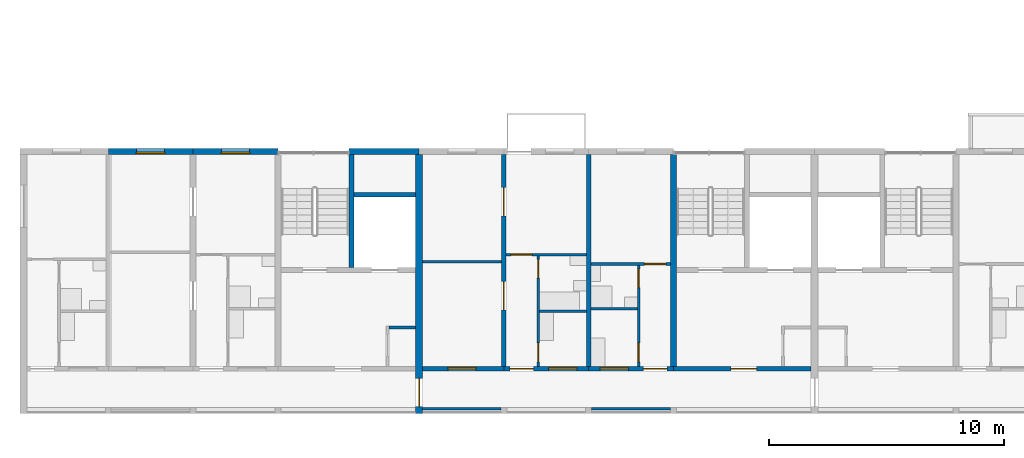
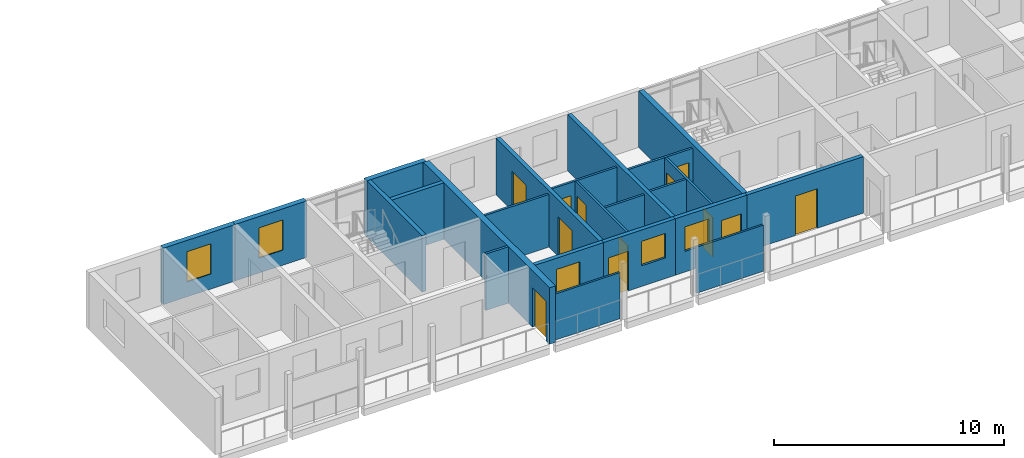
# One storey, part 29 of 99: 23 walls, 12 doors, 5 windows, 17 openings.
"""IFC4 building model written with IfcOpenShell, lengths in metres."""

from ifc_helpers import new_model, si_unit, direction, frame, frame_2d, origin, place, context, subcontext, project, spatial, rectangle, extrude, material, layer, layer_set, type_object, element, fill, save


model = new_model("IFC4")

# Units and contexts
model_context = context("Model", 3, precision=1e-05, world=origin(), true_north=direction((0.0, 1.0)))
body_context = subcontext(model_context, "Body", "Model", "MODEL_VIEW")
ifc_project = project(units=[si_unit("LENGTHUNIT", "METRE"), si_unit("AREAUNIT", "SQUARE_METRE"), si_unit("VOLUMEUNIT", "CUBIC_METRE"), si_unit("PLANEANGLEUNIT", "RADIAN"), si_unit("MASSUNIT", "GRAM", prefix="KILO")], contexts=[model_context])

# Site, building, storey
site_placement = place(None, origin())
site = spatial("IfcSite", under=ifc_project, at=site_placement, CompositionType="ELEMENT")
building_placement = place(site_placement, origin())
building = spatial("IfcBuilding", under=site, at=building_placement, Name="Ridgestep Commons", CompositionType="ELEMENT")
storey_placement = place(building_placement, frame((0.0, 0.0, 15.0)))
storey = spatial("IfcBuildingStorey", under=building, at=storey_placement, Name="L05", CompositionType="ELEMENT", Elevation=15.0)

# Wall
ifc_material_1 = material(Name="Concrete C30/37", Category="concrete")
ifc_layer_1 = layer(ifc_material_1, 0.25)
ifc_layer_set_1 = layer_set([ifc_layer_1], Name="Core cross wall 250")
wall_type_1 = type_object("IfcWallType", Name="Core cross wall 250", PredefinedType="SHEAR", material=ifc_layer_set_1)
wall_1_placement = place(storey_placement, frame((39.60009765625, 13.75, 0.0), z_axis=(0.0, 0.0, 1.0), x_axis=(0.0, 1.0, 0.0)))
element("IfcWall", 1, at=wall_1_placement, inside=storey, type_object=wall_type_1, Name="Cross wall A-05-0396", PredefinedType="SHEAR", context=body_context, shape_type="SweptSolid", body=[
    extrude(rectangle(XDim=9.0, YDim=0.25, at=frame_2d((4.5, 0.0))), origin(), (0.0, 0.0, 1.0), 3.0),
])

# Wall, opening, door
ifc_material_2 = material(Name="Concrete C30/37", Category="concrete")
ifc_layer_2 = layer(ifc_material_2, 0.199951171875)
ifc_layer_set_2 = layer_set([ifc_layer_2], Name="Core south wall 200")
wall_type_2 = type_object("IfcWallType", Name="Core south wall 200", PredefinedType="SHEAR", material=ifc_layer_set_2)
wall_2_placement = place(storey_placement, frame((39.60009765625, 13.64990234375, 0.0), z_axis=(0.0, 0.0, 1.0), x_axis=(1.0, 0.0, 0.0)))
wall_2 = element("IfcWall", 2, at=wall_2_placement, inside=storey, type_object=wall_type_2, Name="Core south wall A2C L05", PredefinedType="SHEAR", context=body_context, shape_type="SweptSolid", body=[
    extrude(rectangle(XDim=5.849853515625, YDim=0.199951171875, at=frame_2d((2.9248046875, 0.0))), origin(), (0.0, 0.0, 1.0), 3.0),
])
opening_1_placement = place(wall_2_placement, frame((2.4375, 0.0, 0.0)))
opening_1 = element("IfcOpeningElement", 3, at=opening_1_placement, cuts=wall_2, Name="Opening A2C/05/1", PredefinedType="OPENING", context=body_context, shape_type="SweptSolid", body=[
    extrude(rectangle(XDim=1.10009765625, YDim=2.10009765625, at=frame_2d((0.550048828125, 1.050048828125))), frame((0.0, 0.10986328125, 0.0), z_axis=(0.0, -1.0, 0.0), x_axis=(1.0, 0.0, 0.0)), (0.0, 0.0, 1.0), 0.219970703125),
])
ifc_material_3 = material(Name="Steel fire door", Category="steel")
door_type_1 = type_object("IfcDoorType", Name="Lobby door 1100 x 2100 FD60", OperationType="NOTDEFINED", PredefinedType="DOOR", material=ifc_material_3)
door_1_placement = place(opening_1_placement, origin())
door_1 = element("IfcDoor", 4, at=door_1_placement, inside=storey, type_object=door_type_1, Name="Lobby door A2C/05/1", OperationType="SINGLE_SWING_LEFT", OverallHeight=2.10009765625, OverallWidth=1.10009765625, PredefinedType="DOOR", context=body_context, shape_type="SweptSolid", body=[
    extrude(rectangle(XDim=1.10009765625, YDim=2.10009765625, at=frame_2d((0.550048828125, 1.050048828125))), frame((0.0, 0.02490234375, 0.0), z_axis=(0.0, -1.0, 0.0), x_axis=(1.0, 0.0, 0.0)), (0.0, 0.0, 1.0), 0.050048828125),
])
fill(opening_1, door_1)

# Walls
ifc_material_4 = material(Name="Concrete C30/37", Category="concrete")
ifc_layer_3 = layer(ifc_material_4, 0.1201171875)
ifc_layer_set_3 = layer_set([ifc_layer_3], Name="Core wall 120")
wall_type_3 = type_object("IfcWallType", Name="Core wall 120", PredefinedType="SHEAR", material=ifc_layer_set_3)
wall_3_placement = place(storey_placement, frame((27.52001953125, 15.409912109375, 0.0), z_axis=(0.0, 0.0, 1.0), x_axis=(1.0, 0.0, 0.0)))
element("IfcWall", 5, at=wall_3_placement, inside=storey, type_object=wall_type_3, Name="Core riser n wall A1C L05", PredefinedType="SHEAR", context=body_context, shape_type="SweptSolid", body=[
    extrude(rectangle(XDim=1.1298828125, YDim=0.1201171875, at=frame_2d((0.56494140625, 0.0))), origin(), (0.0, 0.0, 1.0), 3.0),
])
ifc_material_5 = material(Name="Concrete C30/37", Category="concrete")
ifc_layer_4 = layer(ifc_material_5, 0.199951171875)
ifc_layer_set_4 = layer_set([ifc_layer_4], Name="Core wall 200")
wall_type_4 = type_object("IfcWallType", Name="Core wall 200", PredefinedType="SHEAR", material=ifc_layer_set_4)
wall_4_placement = place(storey_placement, frame((25.925048828125, 17.949951171875, 0.0), z_axis=(0.0, 0.0, 1.0), x_axis=(0.0, 1.0, 0.0)))
element("IfcWall", 6, at=wall_4_placement, inside=storey, type_object=wall_type_4, Name="Core stair wall A1C L05", PredefinedType="SHEAR", context=body_context, shape_type="SweptSolid", body=[
    extrude(rectangle(XDim=4.800048828125, YDim=0.199951171875, at=frame_2d((2.39990234375, 0.0))), origin(), (0.0, 0.0, 1.0), 3.0),
])
wall_5_placement = place(storey_placement, frame((26.02490234375, 21.050048828125, 0.0), z_axis=(0.0, 0.0, 1.0), x_axis=(1.0, 0.0, 0.0)))
element("IfcWall", 7, at=wall_5_placement, inside=storey, type_object=wall_type_4, Name="Core duct wall A1C L05", PredefinedType="SHEAR", context=body_context, shape_type="SweptSolid", body=[
    extrude(rectangle(XDim=2.625, YDim=0.199951171875, at=frame_2d((1.3125, 0.0))), origin(), (0.0, 0.0, 1.0), 3.0),
])

# Wall, openings, doors
ifc_material_6 = material(Name="Precast concrete C40/50", Category="concrete")
ifc_layer_5 = layer(ifc_material_6, 0.199951171875)
ifc_layer_set_5 = layer_set([ifc_layer_5], Name="Cross wall 200")
wall_type_5 = type_object("IfcWallType", Name="Cross wall 200", PredefinedType="SHEAR", material=ifc_layer_set_5)
wall_6_placement = place(storey_placement, frame((32.39990234375, 13.75, 0.0), z_axis=(0.0, 0.0, 1.0), x_axis=(0.0, 1.0, 0.0)))
wall_6 = element("IfcWall", 8, at=wall_6_placement, inside=storey, type_object=wall_type_5, Name="Cross wall A-05-0324", PredefinedType="SHEAR", context=body_context, shape_type="SweptSolid", body=[
    extrude(rectangle(XDim=9.0, YDim=0.199951171875, at=frame_2d((4.5, 0.0))), origin(), (0.0, 0.0, 1.0), 3.0),
])
opening_2_placement = place(wall_6_placement, frame((2.39990234375, 0.0, 0.0)))
opening_2 = element("IfcOpeningElement", 9, at=opening_2_placement, cuts=wall_6, Name="Opening A2-05a/5", PredefinedType="OPENING", context=body_context, shape_type="SweptSolid", body=[
    extrude(rectangle(XDim=1.199951171875, YDim=2.10009765625, at=frame_2d((0.60009765625, 1.050048828125))), frame((0.0, 0.10986328125, 0.0), z_axis=(0.0, -1.0, 0.0), x_axis=(1.0, 0.0, 0.0)), (0.0, 0.0, 1.0), 0.219970703125),
])
opening_3_placement = place(wall_6_placement, frame((6.39990234375, 0.0, 0.0)))
opening_3 = element("IfcOpeningElement", 10, at=opening_3_placement, cuts=wall_6, Name="Opening A2-05a/6", PredefinedType="OPENING", context=body_context, shape_type="SweptSolid", body=[
    extrude(rectangle(XDim=1.199951171875, YDim=2.10009765625, at=frame_2d((0.60009765625, 1.050048828125))), frame((0.0, 0.10986328125, 0.0), z_axis=(0.0, -1.0, 0.0), x_axis=(1.0, 0.0, 0.0)), (0.0, 0.0, 1.0), 0.219970703125),
])
ifc_material_7 = material(Name="Timber door leaf", Category="wood")
door_type_2 = type_object("IfcDoorType", Name="Double door 1200 x 2100", OperationType="DOUBLE_DOOR_SINGLE_SWING", PredefinedType="DOOR", material=ifc_material_7)
door_2_placement = place(opening_2_placement, origin())
door_2 = element("IfcDoor", 11, at=door_2_placement, inside=storey, type_object=door_type_2, Name="Double door A2-05a/5", OperationType="DOUBLE_DOOR_SINGLE_SWING", OverallHeight=2.10009765625, OverallWidth=1.199951171875, PredefinedType="DOOR", context=body_context, shape_type="SweptSolid", body=[
    extrude(rectangle(XDim=1.199951171875, YDim=2.10009765625, at=frame_2d((0.60009765625, 1.050048828125))), frame((0.0, 0.02490234375, 0.0), z_axis=(0.0, -1.0, 0.0), x_axis=(1.0, 0.0, 0.0)), (0.0, 0.0, 1.0), 0.050048828125),
])
fill(opening_2, door_2)
door_3_placement = place(opening_3_placement, origin())
door_3 = element("IfcDoor", 12, at=door_3_placement, inside=storey, type_object=door_type_2, Name="Double door A2-05a/6", OperationType="DOUBLE_DOOR_SINGLE_SWING", OverallHeight=2.10009765625, OverallWidth=1.199951171875, PredefinedType="DOOR", context=body_context, shape_type="SweptSolid", body=[
    extrude(rectangle(XDim=1.199951171875, YDim=2.10009765625, at=frame_2d((0.60009765625, 1.050048828125))), frame((0.0, 0.02490234375, 0.0), z_axis=(0.0, -1.0, 0.0), x_axis=(1.0, 0.0, 0.0)), (0.0, 0.0, 1.0), 0.050048828125),
])
fill(opening_3, door_3)

# Wall
wall_7_placement = place(storey_placement, frame((36.0, 13.75, 0.0), z_axis=(0.0, 0.0, 1.0), x_axis=(0.0, 1.0, 0.0)))
element("IfcWall", 13, at=wall_7_placement, inside=storey, type_object=wall_type_5, Name="Cross wall A-05-0360", PredefinedType="SHEAR", context=body_context, shape_type="SweptSolid", body=[
    extrude(rectangle(XDim=9.0, YDim=0.199951171875, at=frame_2d((4.5, 0.0))), origin(), (0.0, 0.0, 1.0), 3.0),
])

# Wall, opening, door
ifc_material_8 = material(Name="Precast concrete C40/50", Category="concrete")
ifc_layer_6 = layer(ifc_material_8, 0.300048828125)
ifc_layer_set_6 = layer_set([ifc_layer_6], Name="Division wall 300")
wall_type_6 = type_object("IfcWallType", Name="Division wall 300", PredefinedType="SHEAR", material=ifc_layer_set_6)
wall_8_placement = place(storey_placement, frame((28.800048828125, 11.75, 0.0), z_axis=(0.0, 0.0, 1.0), x_axis=(0.0, 1.0, 0.0)))
wall_8 = element("IfcWall", 14, at=wall_8_placement, inside=storey, type_object=wall_type_6, Name="Cross wall A-05-0288", PredefinedType="SHEAR", context=body_context, shape_type="SweptSolid", body=[
    extrude(rectangle(XDim=11.0, YDim=0.300048828125, at=frame_2d((5.5, 0.0))), origin(), (0.0, 0.0, 1.0), 3.0),
])
opening_4_placement = place(wall_8_placement, frame((0.300048828125, 0.0, 0.0)))
opening_4 = element("IfcOpeningElement", 15, at=opening_4_placement, cuts=wall_8, Name="Opening A/05/G0288", PredefinedType="OPENING", context=body_context, shape_type="SweptSolid", body=[
    extrude(rectangle(XDim=1.199951171875, YDim=2.10009765625, at=frame_2d((0.60009765625, 1.050048828125))), frame((0.0, 0.159912109375, 0.0), z_axis=(0.0, -1.0, 0.0), x_axis=(1.0, 0.0, 0.0)), (0.0, 0.0, 1.0), 0.320068359375),
])
ifc_material_9 = material(Name="Steel fire door", Category="steel")
door_type_3 = type_object("IfcDoorType", Name="Division fire door 1200 x 2100 EI 240", OperationType="DOUBLE_DOOR_SINGLE_SWING", PredefinedType="DOOR", material=ifc_material_9)
door_4_placement = place(opening_4_placement, origin())
door_4 = element("IfcDoor", 16, at=door_4_placement, inside=storey, type_object=door_type_3, Name="Division fire door A/05/G0288", OperationType="DOUBLE_DOOR_SINGLE_SWING", OverallHeight=2.10009765625, OverallWidth=1.199951171875, PredefinedType="DOOR", context=body_context, shape_type="SweptSolid", body=[
    extrude(rectangle(XDim=1.199951171875, YDim=2.10009765625, at=frame_2d((0.60009765625, 1.050048828125))), frame((0.0, 0.02490234375, 0.0), z_axis=(0.0, -1.0, 0.0), x_axis=(1.0, 0.0, 0.0)), (0.0, 0.0, 1.0), 0.050048828125),
])
fill(opening_4, door_4)

# Wall, opening, window
ifc_material_10 = material(Name="Precast concrete C40/50", Category="concrete")
ifc_layer_7 = layer(ifc_material_10, 0.25)
ifc_layer_set_7 = layer_set([ifc_layer_7], Name="North facade panel 250")
wall_type_7 = type_object("IfcWallType", Name="North facade panel 250", PredefinedType="SOLIDWALL", material=ifc_layer_set_7)
wall_9_placement = place(storey_placement, frame((15.60009765625, 22.875, 0.0), z_axis=(0.0, 0.0, 1.0), x_axis=(1.0, 0.0, 0.0)))
wall_9 = element("IfcWall", 17, at=wall_9_placement, inside=storey, type_object=wall_type_7, Name="North panel A1T2 L05", PredefinedType="SOLIDWALL", context=body_context, shape_type="SweptSolid", body=[
    extrude(rectangle(XDim=3.599853515625, YDim=0.25, at=frame_2d((1.7998046875, 0.0))), origin(), (0.0, 0.0, 1.0), 3.0),
])
opening_5_placement = place(wall_9_placement, frame((1.1875, 0.0, 0.800048828125)))
opening_5 = element("IfcOpeningElement", 18, at=opening_5_placement, cuts=wall_9, Name="Opening W11", PredefinedType="OPENING", context=body_context, shape_type="SweptSolid", body=[
    extrude(rectangle(XDim=1.199951171875, YDim=1.60009765625, at=frame_2d((0.60009765625, 0.800048828125))), frame((0.0, 0.135009765625, 0.0), z_axis=(0.0, -1.0, 0.0), x_axis=(1.0, 0.0, 0.0)), (0.0, 0.0, 1.0), 0.27001953125),
])
ifc_material_11 = material(Name="Aluminium 6063-T6 and glass", Category="aluminium")
window_type_1 = type_object("IfcWindowType", Name="Flat window 1200 x 1600", PartitioningType="SINGLE_PANEL", PredefinedType="WINDOW", material=ifc_material_11)
window_1_placement = place(opening_5_placement, origin())
window_1 = element("IfcWindow", 19, at=window_1_placement, inside=storey, type_object=window_type_1, Name="Window A1-05b 2", OverallHeight=1.60009765625, OverallWidth=1.199951171875, PartitioningType="SINGLE_PANEL", PredefinedType="WINDOW", context=body_context, shape_type="SweptSolid", body=[
    extrude(rectangle(XDim=1.199951171875, YDim=1.60009765625, at=frame_2d((0.60009765625, 0.800048828125))), frame((0.0, -0.02490234375, 0.0), z_axis=(0.0, -1.0, 0.0), x_axis=(1.0, 0.0, 0.0)), (0.0, 0.0, 1.0), 0.06005859375),
])
fill(opening_5, window_1)

wall_10_placement = place(storey_placement, frame((19.199951171875, 22.875, 0.0), z_axis=(0.0, 0.0, 1.0), x_axis=(1.0, 0.0, 0.0)))
wall_10 = element("IfcWall", 20, at=wall_10_placement, inside=storey, type_object=wall_type_7, Name="North panel A1T3 L05", PredefinedType="SOLIDWALL", context=body_context, shape_type="SweptSolid", body=[
    extrude(rectangle(XDim=3.60009765625, YDim=0.25, at=frame_2d((1.800048828125, 0.0))), origin(), (0.0, 0.0, 1.0), 3.0),
])
opening_6_placement = place(wall_10_placement, frame((1.199951171875, 0.0, 0.800048828125)))
opening_6 = element("IfcOpeningElement", 21, at=opening_6_placement, cuts=wall_10, Name="Opening W11", PredefinedType="OPENING", context=body_context, shape_type="SweptSolid", body=[
    extrude(rectangle(XDim=1.199951171875, YDim=1.60009765625, at=frame_2d((0.60009765625, 0.800048828125))), frame((0.0, 0.135009765625, 0.0), z_axis=(0.0, -1.0, 0.0), x_axis=(1.0, 0.0, 0.0)), (0.0, 0.0, 1.0), 0.27001953125),
])
window_2_placement = place(opening_6_placement, origin())
window_2 = element("IfcWindow", 22, at=window_2_placement, inside=storey, type_object=window_type_1, Name="Window A1-05b 4", OverallHeight=1.60009765625, OverallWidth=1.199951171875, PartitioningType="SINGLE_PANEL", PredefinedType="WINDOW", context=body_context, shape_type="SweptSolid", body=[
    extrude(rectangle(XDim=1.199951171875, YDim=1.60009765625, at=frame_2d((0.60009765625, 0.800048828125))), frame((0.0, -0.02490234375, 0.0), z_axis=(0.0, -1.0, 0.0), x_axis=(1.0, 0.0, 0.0)), (0.0, 0.0, 1.0), 0.06005859375),
])
fill(opening_6, window_2)

# Wall
wall_11_placement = place(storey_placement, frame((25.824951171875, 22.875, 0.0), z_axis=(0.0, 0.0, 1.0), x_axis=(1.0, 0.0, 0.0)))
element("IfcWall", 23, at=wall_11_placement, inside=storey, type_object=wall_type_7, Name="North panel A1C L05", PredefinedType="SOLIDWALL", context=body_context, shape_type="SweptSolid", body=[
    extrude(rectangle(XDim=2.97509765625, YDim=0.25, at=frame_2d((1.487548828125, 0.0))), origin(), (0.0, 0.0, 1.0), 3.0),
])

# Wall, openings, doors
ifc_material_12 = material(Name="Common brick 110 mm", Category="masonry")
ifc_layer_8 = layer(ifc_material_12, 0.110107421875)
ifc_layer_set_8 = layer_set([ifc_layer_8], Name="Partition 110")
wall_type_8 = type_object("IfcWallType", Name="Partition 110", PredefinedType="PARTITIONING", material=ifc_layer_set_8)
wall_12_placement = place(storey_placement, frame((33.85498046875, 13.75, 0.0), z_axis=(0.0, 0.0, 1.0), x_axis=(0.0, 1.0, 0.0)))
wall_12 = element("IfcWall", 24, at=wall_12_placement, inside=storey, type_object=wall_type_8, Name="Partition A2-05a", PredefinedType="PARTITIONING", context=body_context, shape_type="SweptSolid", body=[
    extrude(rectangle(XDim=4.699951171875, YDim=0.110107421875, at=frame_2d((2.35009765625, 0.0))), origin(), (0.0, 0.0, 1.0), 2.800048828125),
])
opening_7_placement = place(wall_12_placement, frame((0.199951171875, 0.0, 0.0)))
opening_7 = element("IfcOpeningElement", 25, at=opening_7_placement, cuts=wall_12, Name="Opening A2-05a/2", PredefinedType="OPENING", context=body_context, shape_type="SweptSolid", body=[
    extrude(rectangle(XDim=0.800048828125, YDim=2.10009765625, at=frame_2d((0.39990234375, 1.050048828125))), frame((0.0, 0.06494140625, 0.0), z_axis=(0.0, -1.0, 0.0), x_axis=(1.0, 0.0, 0.0)), (0.0, 0.0, 1.0), 0.130126953125),
])
opening_8_placement = place(wall_12_placement, frame((3.75, 0.0, 0.0)))
opening_8 = element("IfcOpeningElement", 26, at=opening_8_placement, cuts=wall_12, Name="Opening A2-05a/3", PredefinedType="OPENING", context=body_context, shape_type="SweptSolid", body=[
    extrude(rectangle(XDim=0.800048828125, YDim=2.10009765625, at=frame_2d((0.39990234375, 1.050048828125))), frame((0.0, 0.06494140625, 0.0), z_axis=(0.0, -1.0, 0.0), x_axis=(1.0, 0.0, 0.0)), (0.0, 0.0, 1.0), 0.130126953125),
])
ifc_material_13 = material(Name="Timber door leaf", Category="wood")
door_type_4 = type_object("IfcDoorType", Name="Internal door 800 x 2100", OperationType="NOTDEFINED", PredefinedType="DOOR", material=ifc_material_13)
door_5_placement = place(opening_7_placement, origin())
door_5 = element("IfcDoor", 27, at=door_5_placement, inside=storey, type_object=door_type_4, Name="Internal door A2-05a/2", OperationType="SINGLE_SWING_RIGHT", OverallHeight=2.10009765625, OverallWidth=0.800048828125, PredefinedType="DOOR", context=body_context, shape_type="SweptSolid", body=[
    extrude(rectangle(XDim=0.800048828125, YDim=2.10009765625, at=frame_2d((0.39990234375, 1.050048828125))), frame((0.0, 0.02490234375, 0.0), z_axis=(0.0, -1.0, 0.0), x_axis=(1.0, 0.0, 0.0)), (0.0, 0.0, 1.0), 0.050048828125),
])
fill(opening_7, door_5)
door_6_placement = place(opening_8_placement, origin())
door_6 = element("IfcDoor", 28, at=door_6_placement, inside=storey, type_object=door_type_4, Name="Internal door A2-05a/3", OperationType="SINGLE_SWING_LEFT", OverallHeight=2.10009765625, OverallWidth=0.800048828125, PredefinedType="DOOR", context=body_context, shape_type="SweptSolid", body=[
    extrude(rectangle(XDim=0.800048828125, YDim=2.10009765625, at=frame_2d((0.39990234375, 1.050048828125))), frame((0.0, 0.02490234375, 0.0), z_axis=(0.0, -1.0, 0.0), x_axis=(1.0, 0.0, 0.0)), (0.0, 0.0, 1.0), 0.050048828125),
])
fill(opening_8, door_6)

# Wall
wall_13_placement = place(storey_placement, frame((33.909912109375, 16.10498046875, 0.0), z_axis=(0.0, 0.0, 1.0), x_axis=(1.0, 0.0, 0.0)))
element("IfcWall", 29, at=wall_13_placement, inside=storey, type_object=wall_type_8, Name="Partition A2-05a", PredefinedType="PARTITIONING", context=body_context, shape_type="SweptSolid", body=[
    extrude(rectangle(XDim=1.989990234375, YDim=0.110107421875, at=frame_2d((0.9951171875, 0.0))), origin(), (0.0, 0.0, 1.0), 2.800048828125),
])

# Wall, opening, door
wall_14_placement = place(storey_placement, frame((32.5, 18.5048828125, 0.0), z_axis=(0.0, 0.0, 1.0), x_axis=(1.0, 0.0, 0.0)))
wall_14 = element("IfcWall", 30, at=wall_14_placement, inside=storey, type_object=wall_type_8, Name="Partition A2-05a", PredefinedType="PARTITIONING", context=body_context, shape_type="SweptSolid", body=[
    extrude(rectangle(XDim=3.39990234375, YDim=0.110107421875, at=frame_2d((1.699951171875, 0.0))), origin(), (0.0, 0.0, 1.0), 2.800048828125),
])
opening_9_placement = place(wall_14_placement, frame((0.199951171875, 0.0, 0.0)))
opening_9 = element("IfcOpeningElement", 31, at=opening_9_placement, cuts=wall_14, Name="Opening A2-05a/4", PredefinedType="OPENING", context=body_context, shape_type="SweptSolid", body=[
    extrude(rectangle(XDim=0.89990234375, YDim=2.10009765625, at=frame_2d((0.449951171875, 1.050048828125))), frame((0.0, 0.06494140625, 0.0), z_axis=(0.0, -1.0, 0.0), x_axis=(1.0, 0.0, 0.0)), (0.0, 0.0, 1.0), 0.130126953125),
])
ifc_material_14 = material(Name="Timber door leaf", Category="wood")
door_type_5 = type_object("IfcDoorType", Name="Internal door 900 x 2100", OperationType="NOTDEFINED", PredefinedType="DOOR", material=ifc_material_14)
door_7_placement = place(opening_9_placement, origin())
door_7 = element("IfcDoor", 32, at=door_7_placement, inside=storey, type_object=door_type_5, Name="Internal door A2-05a/4", OperationType="SINGLE_SWING_LEFT", OverallHeight=2.10009765625, OverallWidth=0.89990234375, PredefinedType="DOOR", context=body_context, shape_type="SweptSolid", body=[
    extrude(rectangle(XDim=0.89990234375, YDim=2.10009765625, at=frame_2d((0.449951171875, 1.050048828125))), frame((0.0, 0.02490234375, 0.0), z_axis=(0.0, -1.0, 0.0), x_axis=(1.0, 0.0, 0.0)), (0.0, 0.0, 1.0), 0.050048828125),
])
fill(opening_9, door_7)

# Walls
wall_15_placement = place(storey_placement, frame((28.949951171875, 18.205078125, 0.0), z_axis=(0.0, 0.0, 1.0), x_axis=(1.0, 0.0, 0.0)))
element("IfcWall", 33, at=wall_15_placement, inside=storey, type_object=wall_type_8, Name="Partition A2-05a", PredefinedType="PARTITIONING", context=body_context, shape_type="SweptSolid", body=[
    extrude(rectangle(XDim=3.35009765625, YDim=0.110107421875, at=frame_2d((1.675048828125, 0.0))), origin(), (0.0, 0.0, 1.0), 2.800048828125),
])
wall_16_placement = place(storey_placement, frame((36.10009765625, 16.205078125, 0.0), z_axis=(0.0, 0.0, 1.0), x_axis=(1.0, 0.0, 0.0)))
element("IfcWall", 34, at=wall_16_placement, inside=storey, type_object=wall_type_8, Name="Partition A2-05b", PredefinedType="PARTITIONING", context=body_context, shape_type="SweptSolid", body=[
    extrude(rectangle(XDim=1.96484375, YDim=0.110107421875, at=frame_2d((0.982421875, 0.0))), origin(), (0.0, 0.0, 1.0), 2.800048828125),
])

# Wall, openings, doors
wall_17_placement = place(storey_placement, frame((38.1201171875, 13.75, 0.0), z_axis=(0.0, 0.0, 1.0), x_axis=(0.0, 1.0, 0.0)))
wall_17 = element("IfcWall", 35, at=wall_17_placement, inside=storey, type_object=wall_type_8, Name="Partition A2-05b", PredefinedType="PARTITIONING", context=body_context, shape_type="SweptSolid", body=[
    extrude(rectangle(XDim=4.300048828125, YDim=0.110107421875, at=frame_2d((2.14990234375, 0.0))), origin(), (0.0, 0.0, 1.0), 2.800048828125),
])
opening_10_placement = place(wall_17_placement, frame((0.199951171875, 0.0, 0.0)))
opening_10 = element("IfcOpeningElement", 36, at=opening_10_placement, cuts=wall_17, Name="Opening A2-05b/2", PredefinedType="OPENING", context=body_context, shape_type="SweptSolid", body=[
    extrude(rectangle(XDim=0.800048828125, YDim=2.10009765625, at=frame_2d((0.39990234375, 1.050048828125))), frame((0.0, 0.06494140625, 0.0), z_axis=(0.0, -1.0, 0.0), x_axis=(1.0, 0.0, 0.0)), (0.0, 0.0, 1.0), 0.130126953125),
])
opening_11_placement = place(wall_17_placement, frame((3.35009765625, 0.0, 0.0)))
opening_11 = element("IfcOpeningElement", 37, at=opening_11_placement, cuts=wall_17, Name="Opening A2-05b/3", PredefinedType="OPENING", context=body_context, shape_type="SweptSolid", body=[
    extrude(rectangle(XDim=0.800048828125, YDim=2.10009765625, at=frame_2d((0.39990234375, 1.050048828125))), frame((0.0, 0.06494140625, 0.0), z_axis=(0.0, -1.0, 0.0), x_axis=(1.0, 0.0, 0.0)), (0.0, 0.0, 1.0), 0.130126953125),
])
door_8_placement = place(opening_10_placement, origin())
door_8 = element("IfcDoor", 38, at=door_8_placement, inside=storey, type_object=door_type_4, Name="Internal door A2-05b/2", OperationType="SINGLE_SWING_LEFT", OverallHeight=2.10009765625, OverallWidth=0.800048828125, PredefinedType="DOOR", context=body_context, shape_type="SweptSolid", body=[
    extrude(rectangle(XDim=0.800048828125, YDim=2.10009765625, at=frame_2d((0.39990234375, 1.050048828125))), frame((0.0, 0.02490234375, 0.0), z_axis=(0.0, -1.0, 0.0), x_axis=(1.0, 0.0, 0.0)), (0.0, 0.0, 1.0), 0.050048828125),
])
fill(opening_10, door_8)
door_9_placement = place(opening_11_placement, origin())
door_9 = element("IfcDoor", 39, at=door_9_placement, inside=storey, type_object=door_type_4, Name="Internal door A2-05b/3", OperationType="SINGLE_SWING_RIGHT", OverallHeight=2.10009765625, OverallWidth=0.800048828125, PredefinedType="DOOR", context=body_context, shape_type="SweptSolid", body=[
    extrude(rectangle(XDim=0.800048828125, YDim=2.10009765625, at=frame_2d((0.39990234375, 1.050048828125))), frame((0.0, 0.02490234375, 0.0), z_axis=(0.0, -1.0, 0.0), x_axis=(1.0, 0.0, 0.0)), (0.0, 0.0, 1.0), 0.050048828125),
])
fill(opening_11, door_9)

# Wall, opening, door
wall_18_placement = place(storey_placement, frame((36.10009765625, 18.10498046875, 0.0), z_axis=(0.0, 0.0, 1.0), x_axis=(1.0, 0.0, 0.0)))
wall_18 = element("IfcWall", 40, at=wall_18_placement, inside=storey, type_object=wall_type_8, Name="Partition A2-05b", PredefinedType="PARTITIONING", context=body_context, shape_type="SweptSolid", body=[
    extrude(rectangle(XDim=3.375, YDim=0.110107421875, at=frame_2d((1.6875, 0.0))), origin(), (0.0, 0.0, 1.0), 2.800048828125),
])
opening_12_placement = place(wall_18_placement, frame((2.27490234375, 0.0, 0.0)))
opening_12 = element("IfcOpeningElement", 41, at=opening_12_placement, cuts=wall_18, Name="Opening A2-05b/4", PredefinedType="OPENING", context=body_context, shape_type="SweptSolid", body=[
    extrude(rectangle(XDim=0.89990234375, YDim=2.10009765625, at=frame_2d((0.449951171875, 1.050048828125))), frame((0.0, 0.06494140625, 0.0), z_axis=(0.0, -1.0, 0.0), x_axis=(1.0, 0.0, 0.0)), (0.0, 0.0, 1.0), 0.130126953125),
])
door_10_placement = place(opening_12_placement, origin())
door_10 = element("IfcDoor", 42, at=door_10_placement, inside=storey, type_object=door_type_5, Name="Internal door A2-05b/4", OperationType="SINGLE_SWING_LEFT", OverallHeight=2.10009765625, OverallWidth=0.89990234375, PredefinedType="DOOR", context=body_context, shape_type="SweptSolid", body=[
    extrude(rectangle(XDim=0.89990234375, YDim=2.10009765625, at=frame_2d((0.449951171875, 1.050048828125))), frame((0.0, 0.02490234375, 0.0), z_axis=(0.0, -1.0, 0.0), x_axis=(1.0, 0.0, 0.0)), (0.0, 0.0, 1.0), 0.050048828125),
])
fill(opening_12, door_10)

# Walls
ifc_material_15 = material(Name="Precast concrete C30/37", Category="concrete")
ifc_layer_9 = layer(ifc_material_15, 0.10009765625)
ifc_layer_set_9 = layer_set([ifc_layer_9], Name="Perforated gallery screen 3325 x 2450 x 100")
wall_type_9 = type_object("IfcWallType", Name="Perforated gallery screen 3325 x 2450 x 100", PredefinedType="SOLIDWALL", material=ifc_layer_set_9)
wall_19_placement = place(storey_placement, frame((28.949951171875, 11.949951171875, 0.0), z_axis=(0.0, 0.0, 1.0), x_axis=(1.0, 0.0, 0.0)))
element("IfcWall", 43, at=wall_19_placement, inside=storey, type_object=wall_type_9, Name="Gallery screen A2T1 05", PredefinedType="SOLIDWALL", context=body_context, shape_type="SweptSolid", body=[
    extrude(rectangle(XDim=3.324951171875, YDim=0.10009765625, at=frame_2d((1.66259765625, 0.0))), origin(), (0.0, 0.0, 1.0), 2.449951171875),
])
ifc_material_16 = material(Name="Precast concrete C30/37", Category="concrete")
ifc_layer_10 = layer(ifc_material_16, 0.10009765625)
ifc_layer_set_10 = layer_set([ifc_layer_10], Name="Perforated gallery screen 3350 x 2450 x 100")
wall_type_10 = type_object("IfcWallType", Name="Perforated gallery screen 3350 x 2450 x 100", PredefinedType="SOLIDWALL", material=ifc_layer_set_10)
wall_20_placement = place(storey_placement, frame((36.125, 11.949951171875, 0.0), z_axis=(0.0, 0.0, 1.0), x_axis=(1.0, 0.0, 0.0)))
element("IfcWall", 44, at=wall_20_placement, inside=storey, type_object=wall_type_10, Name="Gallery screen A2T3 05", PredefinedType="SOLIDWALL", context=body_context, shape_type="SweptSolid", body=[
    extrude(rectangle(XDim=3.35009765625, YDim=0.10009765625, at=frame_2d((1.675048828125, 0.0))), origin(), (0.0, 0.0, 1.0), 2.449951171875),
])

# Wall, opening, window
ifc_material_17 = material(Name="Precast concrete C40/50", Category="concrete")
ifc_layer_11 = layer(ifc_material_17, 0.199951171875)
ifc_layer_set_11 = layer_set([ifc_layer_11], Name="South facade panel 200")
wall_type_11 = type_object("IfcWallType", Name="South facade panel 200", PredefinedType="SOLIDWALL", material=ifc_layer_set_11)
wall_21_placement = place(storey_placement, frame((28.949951171875, 13.64990234375, 0.0), z_axis=(0.0, 0.0, 1.0), x_axis=(1.0, 0.0, 0.0)))
wall_21 = element("IfcWall", 45, at=wall_21_placement, inside=storey, type_object=wall_type_11, Name="South panel A2T1 L05", PredefinedType="SOLIDWALL", context=body_context, shape_type="SweptSolid", body=[
    extrude(rectangle(XDim=3.449951171875, YDim=0.199951171875, at=frame_2d((1.72509765625, 0.0))), origin(), (0.0, 0.0, 1.0), 3.0),
])
opening_13_placement = place(wall_21_placement, frame((1.074951171875, 0.0, 0.800048828125)))
opening_13 = element("IfcOpeningElement", 46, at=opening_13_placement, cuts=wall_21, Name="Opening W11", PredefinedType="OPENING", context=body_context, shape_type="SweptSolid", body=[
    extrude(rectangle(XDim=1.199951171875, YDim=1.60009765625, at=frame_2d((0.60009765625, 0.800048828125))), frame((0.0, 0.10986328125, 0.0), z_axis=(0.0, -1.0, 0.0), x_axis=(1.0, 0.0, 0.0)), (0.0, 0.0, 1.0), 0.219970703125),
])
window_3_placement = place(opening_13_placement, origin())
window_3 = element("IfcWindow", 47, at=window_3_placement, inside=storey, type_object=window_type_1, Name="Window A2-05a 1", OverallHeight=1.60009765625, OverallWidth=1.199951171875, PartitioningType="SINGLE_PANEL", PredefinedType="WINDOW", context=body_context, shape_type="SweptSolid", body=[
    extrude(rectangle(XDim=1.199951171875, YDim=1.60009765625, at=frame_2d((0.60009765625, 0.800048828125))), frame((0.0, 0.06005859375, 0.0), z_axis=(0.0, -1.0, 0.0), x_axis=(1.0, 0.0, 0.0)), (0.0, 0.0, 1.0), 0.06005859375),
])
fill(opening_13, window_3)

# Wall, openings, door, window
wall_22_placement = place(storey_placement, frame((32.39990234375, 13.64990234375, 0.0), z_axis=(0.0, 0.0, 1.0), x_axis=(1.0, 0.0, 0.0)))
wall_22 = element("IfcWall", 48, at=wall_22_placement, inside=storey, type_object=wall_type_11, Name="South panel A2T2 L05", PredefinedType="SOLIDWALL", context=body_context, shape_type="SweptSolid", body=[
    extrude(rectangle(XDim=3.60009765625, YDim=0.199951171875, at=frame_2d((1.800048828125, 0.0))), origin(), (0.0, 0.0, 1.0), 3.0),
])
opening_14_placement = place(wall_22_placement, frame((1.905029296875, 0.0, 1.10009765625)))
opening_14 = element("IfcOpeningElement", 49, at=opening_14_placement, cuts=wall_22, Name="Opening W08", PredefinedType="OPENING", context=body_context, shape_type="SweptSolid", body=[
    extrude(rectangle(XDim=1.199951171875, YDim=1.300048828125, at=frame_2d((0.60009765625, 0.64990234375))), frame((0.0, 0.10986328125, 0.0), z_axis=(0.0, -1.0, 0.0), x_axis=(1.0, 0.0, 0.0)), (0.0, 0.0, 1.0), 0.219970703125),
])
opening_15_placement = place(wall_22_placement, frame((0.25, 0.0, 0.0)))
opening_15 = element("IfcOpeningElement", 50, at=opening_15_placement, cuts=wall_22, Name="Opening A2-05a/1", PredefinedType="OPENING", context=body_context, shape_type="SweptSolid", body=[
    extrude(rectangle(XDim=1.0, YDim=2.10009765625, at=frame_2d((0.5, 1.050048828125))), frame((0.0, 0.10986328125, 0.0), z_axis=(0.0, -1.0, 0.0), x_axis=(1.0, 0.0, 0.0)), (0.0, 0.0, 1.0), 0.219970703125),
])
ifc_material_18 = material(Name="Timber door leaf", Category="wood")
door_type_6 = type_object("IfcDoorType", Name="Flat entrance door 1000 x 2100 FD30S", OperationType="NOTDEFINED", PredefinedType="DOOR", material=ifc_material_18)
door_11_placement = place(opening_15_placement, origin())
door_11 = element("IfcDoor", 51, at=door_11_placement, inside=storey, type_object=door_type_6, Name="Flat entrance door A2-05a/1", OperationType="SINGLE_SWING_LEFT", OverallHeight=2.10009765625, OverallWidth=1.0, PredefinedType="DOOR", context=body_context, shape_type="SweptSolid", body=[
    extrude(rectangle(XDim=1.0, YDim=2.10009765625, at=frame_2d((0.5, 1.050048828125))), frame((0.0, 0.02490234375, 0.0), z_axis=(0.0, -1.0, 0.0), x_axis=(1.0, 0.0, 0.0)), (0.0, 0.0, 1.0), 0.050048828125),
])
fill(opening_15, door_11)
ifc_material_19 = material(Name="Aluminium 6063-T6 and glass", Category="aluminium")
window_type_2 = type_object("IfcWindowType", Name="Flat window 1200 x 1300", PartitioningType="SINGLE_PANEL", PredefinedType="WINDOW", material=ifc_material_19)
window_4_placement = place(opening_14_placement, origin())
window_4 = element("IfcWindow", 52, at=window_4_placement, inside=storey, type_object=window_type_2, Name="Window A2-05a 3", OverallHeight=1.300048828125, OverallWidth=1.199951171875, PartitioningType="SINGLE_PANEL", PredefinedType="WINDOW", context=body_context, shape_type="SweptSolid", body=[
    extrude(rectangle(XDim=1.199951171875, YDim=1.300048828125, at=frame_2d((0.60009765625, 0.64990234375))), frame((0.0, 0.06005859375, 0.0), z_axis=(0.0, -1.0, 0.0), x_axis=(1.0, 0.0, 0.0)), (0.0, 0.0, 1.0), 0.06005859375),
])
fill(opening_14, window_4)

wall_23_placement = place(storey_placement, frame((36.0, 13.64990234375, 0.0), z_axis=(0.0, 0.0, 1.0), x_axis=(1.0, 0.0, 0.0)))
wall_23 = element("IfcWall", 53, at=wall_23_placement, inside=storey, type_object=wall_type_11, Name="South panel A2T3 L05", PredefinedType="SOLIDWALL", context=body_context, shape_type="SweptSolid", body=[
    extrude(rectangle(XDim=3.60009765625, YDim=0.199951171875, at=frame_2d((1.800048828125, 0.0))), origin(), (0.0, 0.0, 1.0), 3.0),
])
opening_16_placement = place(wall_23_placement, frame((0.482421875, 0.0, 1.10009765625)))
opening_16 = element("IfcOpeningElement", 54, at=opening_16_placement, cuts=wall_23, Name="Opening W08", PredefinedType="OPENING", context=body_context, shape_type="SweptSolid", body=[
    extrude(rectangle(XDim=1.199951171875, YDim=1.300048828125, at=frame_2d((0.60009765625, 0.64990234375))), frame((0.0, 0.10986328125, 0.0), z_axis=(0.0, -1.0, 0.0), x_axis=(1.0, 0.0, 0.0)), (0.0, 0.0, 1.0), 0.219970703125),
])
opening_17_placement = place(wall_23_placement, frame((2.324951171875, 0.0, 0.0)))
opening_17 = element("IfcOpeningElement", 55, at=opening_17_placement, cuts=wall_23, Name="Opening A2-05b/1", PredefinedType="OPENING", context=body_context, shape_type="SweptSolid", body=[
    extrude(rectangle(XDim=1.0, YDim=2.10009765625, at=frame_2d((0.5, 1.050048828125))), frame((0.0, 0.10986328125, 0.0), z_axis=(0.0, -1.0, 0.0), x_axis=(1.0, 0.0, 0.0)), (0.0, 0.0, 1.0), 0.219970703125),
])
door_12_placement = place(opening_17_placement, origin())
door_12 = element("IfcDoor", 56, at=door_12_placement, inside=storey, type_object=door_type_6, Name="Flat entrance door A2-05b/1", OperationType="SINGLE_SWING_RIGHT", OverallHeight=2.10009765625, OverallWidth=1.0, PredefinedType="DOOR", context=body_context, shape_type="SweptSolid", body=[
    extrude(rectangle(XDim=1.0, YDim=2.10009765625, at=frame_2d((0.5, 1.050048828125))), frame((0.0, 0.02490234375, 0.0), z_axis=(0.0, -1.0, 0.0), x_axis=(1.0, 0.0, 0.0)), (0.0, 0.0, 1.0), 0.050048828125),
])
fill(opening_17, door_12)
window_5_placement = place(opening_16_placement, origin())
window_5 = element("IfcWindow", 57, at=window_5_placement, inside=storey, type_object=window_type_2, Name="Window A2-05b 1", OverallHeight=1.300048828125, OverallWidth=1.199951171875, PartitioningType="SINGLE_PANEL", PredefinedType="WINDOW", context=body_context, shape_type="SweptSolid", body=[
    extrude(rectangle(XDim=1.199951171875, YDim=1.300048828125, at=frame_2d((0.60009765625, 0.64990234375))), frame((0.0, 0.06005859375, 0.0), z_axis=(0.0, -1.0, 0.0), x_axis=(1.0, 0.0, 0.0)), (0.0, 0.0, 1.0), 0.06005859375),
])
fill(opening_16, window_5)

save(model, "model.ifc")
